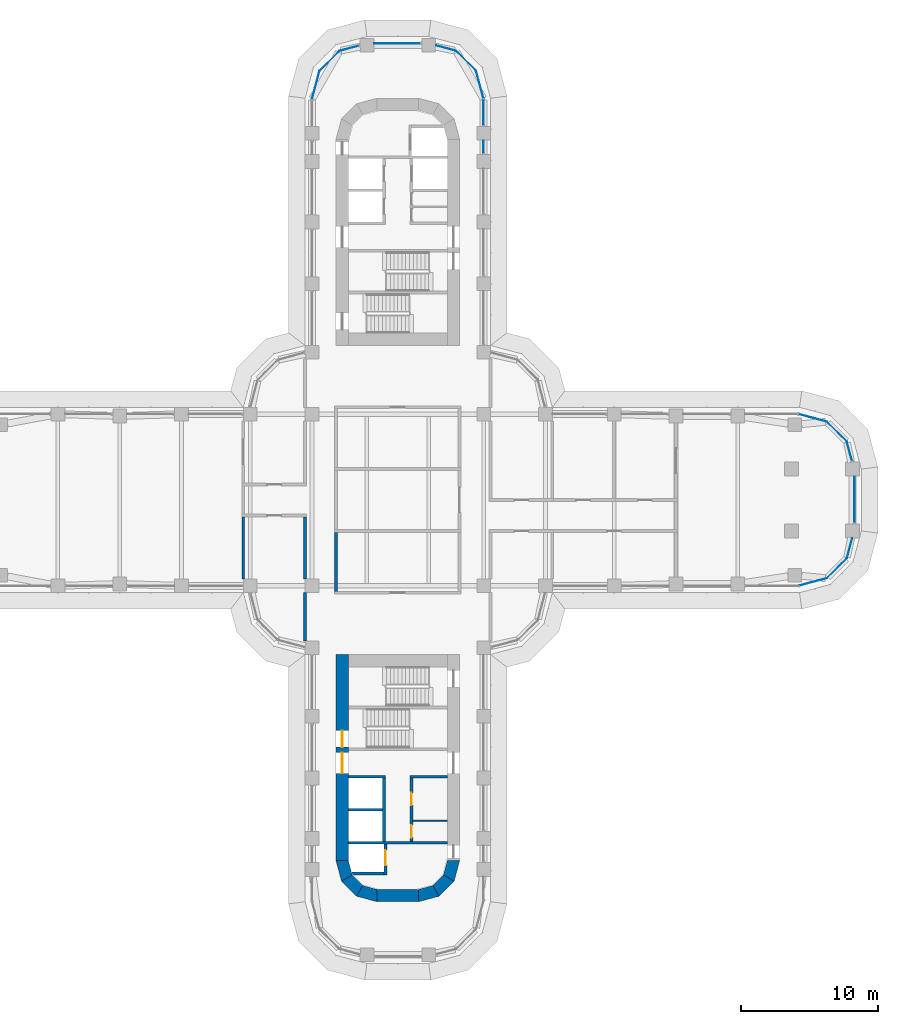
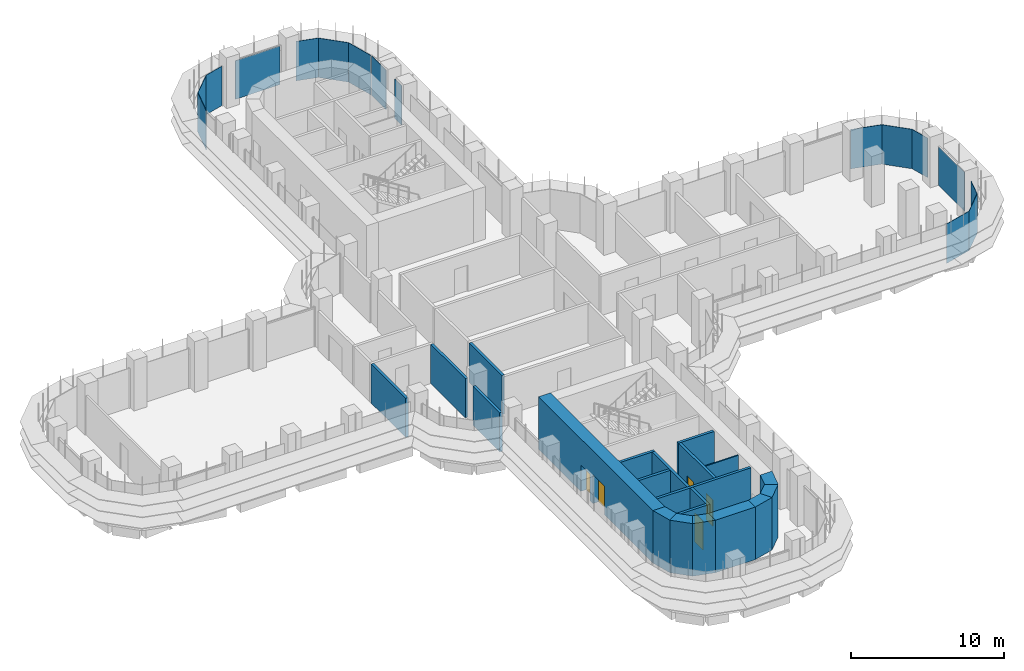
# One storey, part 16 of 23: 21 walls, 16 plates, 5 doors, 5 openings, 15 elements without a shape of their own.
"""IFC4 building model written with IfcOpenShell, lengths in metres."""

from ifc_helpers import new_model, si_unit, direction, frame, frame_2d, origin, place, context, subcontext, project, spatial, polyline, rectangle, outline, extrude, source, transform, mapped, material, layer, layer_set, type_object, element, fill, aggregate, save


model = new_model("IFC4")

# Units and contexts
model_context = context("Model", 3, precision=1e-05, world=origin(), true_north=direction((0.0, 1.0)))
body_context = subcontext(model_context, "Body", "Model", "MODEL_VIEW")
ifc_project = project(units=[si_unit("LENGTHUNIT", "METRE"), si_unit("AREAUNIT", "SQUARE_METRE"), si_unit("VOLUMEUNIT", "CUBIC_METRE"), si_unit("PLANEANGLEUNIT", "RADIAN"), si_unit("MASSUNIT", "GRAM", prefix="KILO")], contexts=[model_context])

# Site, building, storey
site_placement = place(None, origin())
site = spatial("IfcSite", under=ifc_project, at=site_placement, CompositionType="ELEMENT")
building_placement = place(site_placement, origin())
building = spatial("IfcBuilding", under=site, at=building_placement, Name="Zarbagh Exchange Tower", CompositionType="ELEMENT")
storey_placement = place(building_placement, frame((0.0, 0.0, 77.39990234375)))
storey = spatial("IfcBuildingStorey", under=building, at=storey_placement, Name="L17", CompositionType="ELEMENT", Elevation=77.39990234375)

# Curtain wall, plate
ifc_material_1 = material(Name="Anodised aluminium frame and glazing", Category="aluminium")
curtain_wall_type = type_object("IfcCurtainWallType", Name="CWA Ribbon glazing, lower zones", PredefinedType="NOTDEFINED", material=ifc_material_1)
curtain_wall_1_placement = place(storey_placement, origin())
curtain_wall_1 = element("IfcCurtainWall", 1, at=curtain_wall_1_placement, inside=storey, type_object=curtain_wall_type, Name="CWA13 curtain wall", PredefinedType="NOTDEFINED")
ifc_material_2 = material(Name="Low-e double glazed unit, 6+12+6 mm")
ifc_layer_1 = layer(ifc_material_2, 0.028076171875)
ifc_layer_set_1 = layer_set([ifc_layer_1], Name="PAA Glazing panel, Low-e double glazed unit, 6+12+6 mm")
plate_type = type_object("IfcPlateType", Name="PAA Glazing panel, Low-e double glazed unit, 6+12+6 mm", PredefinedType="CURTAIN_PANEL", material=ifc_layer_set_1)
shared_shape_1 = source(origin(), body_context, "Body", "SweptSolid", [
    extrude(outline(polyline([(0.0, -0.013916015625), (1.4423828125, -0.013916015625), (1.4423828125, 0.013916015625), (0.0, 0.013916015625), (0.0, -0.013916015625)])), origin(), (0.0, 0.0, 1.0), 3.14990234375),
])
placement = place(storey_placement, origin())
plate_1 = element("IfcPlate", 2, at=placement, type_object=plate_type, Name="CWA13 glazing panel 1.1", PredefinedType="CURTAIN_PANEL", context=body_context, shape_type="MappedRepresentation", body=[
    mapped(shared_shape_1, transform((33.072021484375, 2.847900390625, 0.0), x_axis=(-0.258824779902, 0.965924289636, 0.0), y_axis=(-0.965924289636, -0.258824779902, 0.0), z_axis=(0.0, 0.0, 1.0))),
])
aggregate(curtain_wall_1, [plate_1])

curtain_wall_2_placement = place(storey_placement, origin())
curtain_wall_2 = element("IfcCurtainWall", 3, at=curtain_wall_2_placement, inside=storey, type_object=curtain_wall_type, Name="CWA25 curtain wall", PredefinedType="NOTDEFINED")
plate_2 = element("IfcPlate", 4, at=placement, type_object=plate_type, Name="CWA25 glazing panel 1.1", PredefinedType="CURTAIN_PANEL", context=body_context, shape_type="MappedRepresentation", body=[
    mapped(shared_shape_1, transform((-2.847900390625, 33.072021484375, 0.0), x_axis=(-0.965924289636, -0.258824779902, 0.0), y_axis=(0.258824779902, -0.965924289636, 0.0), z_axis=(0.0, 0.0, 1.0))),
])
aggregate(curtain_wall_2, [plate_2])

curtain_wall_3_placement = place(storey_placement, origin())
curtain_wall_3 = element("IfcCurtainWall", 5, at=curtain_wall_3_placement, inside=storey, type_object=curtain_wall_type, Name="CWA10 curtain wall", PredefinedType="NOTDEFINED")
shared_shape_2 = source(origin(), body_context, "Body", "SweptSolid", [
    extrude(outline(polyline([(0.0, -0.013916015625), (2.061279296875, -0.013916015625), (2.061279296875, 0.013916015625), (0.0, 0.013916015625), (0.0, -0.013916015625)])), origin(), (0.0, 0.0, 1.0), 3.14990234375),
])
plate_3 = element("IfcPlate", 6, at=placement, type_object=plate_type, Name="CWA10 glazing panel 1.1", PredefinedType="CURTAIN_PANEL", context=body_context, shape_type="MappedRepresentation", body=[
    mapped(shared_shape_2, transform((31.2412109375, -5.69873046875, 0.0), x_axis=(0.707106781187, 0.707106781187, 0.0), y_axis=(-0.707106781187, 0.707106781187, 0.0), z_axis=(0.0, 0.0, 1.0))),
])
aggregate(curtain_wall_3, [plate_3])

curtain_wall_4_placement = place(storey_placement, origin())
curtain_wall_4 = element("IfcCurtainWall", 7, at=curtain_wall_4_placement, inside=storey, type_object=curtain_wall_type, Name="CWA14 curtain wall", PredefinedType="NOTDEFINED")
plate_4 = element("IfcPlate", 8, at=placement, type_object=plate_type, Name="CWA14 glazing panel 1.1", PredefinedType="CURTAIN_PANEL", context=body_context, shape_type="MappedRepresentation", body=[
    mapped(shared_shape_2, transform((32.69873046875, 4.2412109375, 0.0), x_axis=(-0.707106781187, 0.707106781187, 0.0), y_axis=(-0.707106781187, -0.707106781187, 0.0), z_axis=(0.0, 0.0, 1.0))),
])
aggregate(curtain_wall_4, [plate_4])

curtain_wall_5_placement = place(storey_placement, origin())
curtain_wall_5 = element("IfcCurtainWall", 9, at=curtain_wall_5_placement, inside=storey, type_object=curtain_wall_type, Name="CWA22 curtain wall", PredefinedType="NOTDEFINED")
plate_5 = element("IfcPlate", 10, at=placement, type_object=plate_type, Name="CWA22 glazing panel 1.1", PredefinedType="CURTAIN_PANEL", context=body_context, shape_type="MappedRepresentation", body=[
    mapped(shared_shape_2, transform((5.69873046875, 31.2412109375, 0.0), x_axis=(-0.707106781187, 0.707106781187, 0.0), y_axis=(-0.707106781187, -0.707106781187, 0.0), z_axis=(0.0, 0.0, 1.0))),
])
aggregate(curtain_wall_5, [plate_5])

curtain_wall_6_placement = place(storey_placement, origin())
curtain_wall_6 = element("IfcCurtainWall", 11, at=curtain_wall_6_placement, inside=storey, type_object=curtain_wall_type, Name="CWA26 curtain wall", PredefinedType="NOTDEFINED")
plate_6 = element("IfcPlate", 12, at=placement, type_object=plate_type, Name="CWA26 glazing panel 1.1", PredefinedType="CURTAIN_PANEL", context=body_context, shape_type="MappedRepresentation", body=[
    mapped(shared_shape_2, transform((-4.2412109375, 32.69873046875, 0.0), x_axis=(-0.707106781187, -0.707106781187, 0.0), y_axis=(0.707106781187, -0.707106781187, 0.0), z_axis=(0.0, 0.0, 1.0))),
])
aggregate(curtain_wall_6, [plate_6])

curtain_wall_7_placement = place(storey_placement, origin())
curtain_wall_7 = element("IfcCurtainWall", 13, at=curtain_wall_7_placement, inside=storey, type_object=curtain_wall_type, Name="CWA15 curtain wall", PredefinedType="NOTDEFINED")
shared_shape_3 = source(origin(), body_context, "Body", "SweptSolid", [
    extrude(outline(polyline([(0.0, -0.013916015625), (2.129638671875, -0.013916015625), (2.129638671875, 0.013916015625), (0.0, 0.013916015625), (0.0, -0.013916015625)])), origin(), (0.0, 0.0, 1.0), 3.14990234375),
])
plate_7 = element("IfcPlate", 14, at=placement, type_object=plate_type, Name="CWA15 glazing panel 1.1", PredefinedType="CURTAIN_PANEL", context=body_context, shape_type="MappedRepresentation", body=[
    mapped(shared_shape_3, transform((31.2412109375, 5.69873046875, 0.0), x_axis=(-0.965924289636, 0.258824779902, 0.0), y_axis=(-0.258824779902, -0.965924289636, 0.0), z_axis=(0.0, 0.0, 1.0))),
])
aggregate(curtain_wall_7, [plate_7])

curtain_wall_8_placement = place(storey_placement, origin())
curtain_wall_8 = element("IfcCurtainWall", 15, at=curtain_wall_8_placement, inside=storey, type_object=curtain_wall_type, Name="CWA27 curtain wall", PredefinedType="NOTDEFINED")
plate_8 = element("IfcPlate", 16, at=placement, type_object=plate_type, Name="CWA27 glazing panel 1.1", PredefinedType="CURTAIN_PANEL", context=body_context, shape_type="MappedRepresentation", body=[
    mapped(shared_shape_3, transform((-5.69873046875, 31.2412109375, 0.0), x_axis=(-0.258824779902, -0.965924289636, 0.0), y_axis=(0.965924289636, -0.258824779902, 0.0), z_axis=(0.0, 0.0, 1.0))),
])
aggregate(curtain_wall_8, [plate_8])

curtain_wall_9_placement = place(storey_placement, origin())
curtain_wall_9 = element("IfcCurtainWall", 17, at=curtain_wall_9_placement, inside=storey, type_object=curtain_wall_type, Name="CWA09 curtain wall", PredefinedType="NOTDEFINED")
shared_shape_4 = source(origin(), body_context, "Body", "SweptSolid", [
    extrude(outline(polyline([(0.0, -0.013916015625), (2.069580078125, -0.013916015625), (2.069580078125, 0.013916015625), (0.0, 0.013916015625), (0.0, -0.013916015625)])), origin(), (0.0, 0.0, 1.0), 3.14990234375),
])
plate_9 = element("IfcPlate", 18, at=placement, type_object=plate_type, Name="CWA09 glazing panel 1.1", PredefinedType="CURTAIN_PANEL", context=body_context, shape_type="MappedRepresentation", body=[
    mapped(shared_shape_4, transform((29.2421875, -6.234375, 0.0), x_axis=(0.965924289636, 0.258824779902, 0.0), y_axis=(-0.258824779902, 0.965924289636, 0.0), z_axis=(0.0, 0.0, 1.0))),
])
aggregate(curtain_wall_9, [plate_9])

curtain_wall_10_placement = place(storey_placement, origin())
curtain_wall_10 = element("IfcCurtainWall", 19, at=curtain_wall_10_placement, inside=storey, type_object=curtain_wall_type, Name="CWA21 curtain wall", PredefinedType="NOTDEFINED")
plate_10 = element("IfcPlate", 20, at=placement, type_object=plate_type, Name="CWA21 glazing panel 1.1", PredefinedType="CURTAIN_PANEL", context=body_context, shape_type="MappedRepresentation", body=[
    mapped(shared_shape_4, transform((6.234375, 29.2421875, 0.0), x_axis=(-0.258824779902, 0.965924289636, 0.0), y_axis=(-0.965924289636, -0.258824779902, 0.0), z_axis=(0.0, 0.0, 1.0))),
])
aggregate(curtain_wall_10, [plate_10])

curtain_wall_11_placement = place(storey_placement, origin())
curtain_wall_11 = element("IfcCurtainWall", 21, at=curtain_wall_11_placement, inside=storey, type_object=curtain_wall_type, Name="CWA11 curtain wall", PredefinedType="NOTDEFINED")
shared_shape_5 = source(origin(), body_context, "Body", "SweptSolid", [
    extrude(outline(polyline([(0.0, -0.013916015625), (1.50244140625, -0.013916015625), (1.50244140625, 0.013916015625), (0.0, 0.013916015625), (0.0, -0.013916015625)])), origin(), (0.0, 0.0, 1.0), 3.14990234375),
])
plate_11 = element("IfcPlate", 22, at=placement, type_object=plate_type, Name="CWA11 glazing panel 1.1", PredefinedType="CURTAIN_PANEL", context=body_context, shape_type="MappedRepresentation", body=[
    mapped(shared_shape_5, transform((32.69873046875, -4.2412109375, 0.0), x_axis=(0.258824779902, 0.965924289636, 0.0), y_axis=(-0.965924289636, 0.258824779902, 0.0), z_axis=(0.0, 0.0, 1.0))),
])
aggregate(curtain_wall_11, [plate_11])

curtain_wall_12_placement = place(storey_placement, origin())
curtain_wall_12 = element("IfcCurtainWall", 23, at=curtain_wall_12_placement, inside=storey, type_object=curtain_wall_type, Name="CWA23 curtain wall", PredefinedType="NOTDEFINED")
plate_12 = element("IfcPlate", 24, at=placement, type_object=plate_type, Name="CWA23 glazing panel 1.1", PredefinedType="CURTAIN_PANEL", context=body_context, shape_type="MappedRepresentation", body=[
    mapped(shared_shape_5, transform((4.2412109375, 32.69873046875, 0.0), x_axis=(-0.965924289636, 0.258824779902, 0.0), y_axis=(-0.258824779902, -0.965924289636, 0.0), z_axis=(0.0, 0.0, 1.0))),
])
aggregate(curtain_wall_12, [plate_12])

curtain_wall_13_placement = place(storey_placement, origin())
curtain_wall_13 = element("IfcCurtainWall", 25, at=curtain_wall_13_placement, inside=storey, type_object=curtain_wall_type, Name="CWA12 curtain wall", PredefinedType="NOTDEFINED")
shared_shape_6 = source(origin(), body_context, "Body", "SweptSolid", [
    extrude(outline(polyline([(0.0, -0.013916015625), (3.360107421875, -0.013916015625), (3.360107421875, 0.013916015625), (0.0, 0.013916015625), (0.0, -0.013916015625)])), origin(), (0.0, 0.0, 1.0), 3.090087890625),
])
plate_13 = element("IfcPlate", 26, at=placement, type_object=plate_type, Name="CWA12 glazing panel 1.1", PredefinedType="CURTAIN_PANEL", context=body_context, shape_type="MappedRepresentation", body=[
    mapped(shared_shape_6, transform((33.25, -1.64990234375, 0.0), x_axis=(0.0, 1.0, 0.0), y_axis=(-1.0, 0.0, 0.0), z_axis=(0.0, 0.0, 1.0))),
])
aggregate(curtain_wall_13, [plate_13])

curtain_wall_14_placement = place(storey_placement, origin())
curtain_wall_14 = element("IfcCurtainWall", 27, at=curtain_wall_14_placement, inside=storey, type_object=curtain_wall_type, Name="CWA24 curtain wall", PredefinedType="NOTDEFINED")
plate_14 = element("IfcPlate", 28, at=placement, type_object=plate_type, Name="CWA24 glazing panel 1.1", PredefinedType="CURTAIN_PANEL", context=body_context, shape_type="MappedRepresentation", body=[
    mapped(shared_shape_6, transform((1.64990234375, 33.25, 0.0), x_axis=(-1.0, 0.0, 0.0), y_axis=(0.0, -1.0, 0.0), z_axis=(0.0, 0.0, 1.0))),
])
aggregate(curtain_wall_14, [plate_14])

# Curtain wall, plates
curtain_wall_15_placement = place(storey_placement, origin())
curtain_wall_15 = element("IfcCurtainWall", 29, at=curtain_wall_15_placement, inside=storey, type_object=curtain_wall_type, Name="CWA20 curtain wall", PredefinedType="NOTDEFINED")
shared_shape_7 = source(origin(), body_context, "Body", "SweptSolid", [
    extrude(outline(polyline([(0.0, -0.013916015625), (0.909912109375, -0.013916015625), (0.909912109375, 0.013916015625), (0.0, 0.013916015625), (0.0, -0.013916015625)])), origin(), (0.0, 0.0, 1.0), 3.14990234375),
])
plate_15 = element("IfcPlate", 30, at=placement, type_object=plate_type, Name="CWA20 glazing panel 4.1", PredefinedType="CURTAIN_PANEL", context=body_context, shape_type="MappedRepresentation", body=[
    mapped(shared_shape_7, transform((6.25, 25.25, 0.0), x_axis=(0.0, 1.0, 0.0), y_axis=(-1.0, 0.0, 0.0), z_axis=(0.0, 0.0, 1.0))),
])
shared_shape_8 = source(origin(), body_context, "Body", "SweptSolid", [
    extrude(outline(polyline([(0.0, -0.013916015625), (1.884033203125, -0.013916015625), (1.884033203125, 0.013916015625), (0.0, 0.013916015625), (0.0, -0.013916015625)])), origin(), (0.0, 0.0, 1.0), 3.14990234375),
])
plate_16 = element("IfcPlate", 31, at=placement, type_object=plate_type, Name="CWA20 glazing panel 5.1", PredefinedType="CURTAIN_PANEL", context=body_context, shape_type="MappedRepresentation", body=[
    mapped(shared_shape_8, transform((6.25, 27.300048828125, 0.0), x_axis=(0.0, 1.0, 0.0), y_axis=(-1.0, 0.0, 0.0), z_axis=(0.0, 0.0, 1.0))),
])
aggregate(curtain_wall_15, [plate_15, plate_16])

# Walls
ifc_material_3 = material(Name="Dense blockwork", Category="masonry")
ifc_layer_2 = layer(ifc_material_3, 0.10009765625)
ifc_layer_set_2 = layer_set([ifc_layer_2], Name="Core partition 100 mm blockwork")
wall_type_1 = type_object("IfcWallType", Name="Core partition 100 mm blockwork", PredefinedType="PARTITIONING", material=ifc_layer_set_2)
wall_1_placement = place(storey_placement, frame((3.60009765625, -23.35009765625, 0.0), z_axis=(0.0, 0.0, 1.0), x_axis=(-1.0, 0.0, 0.0)))
element("IfcWall", 32, at=wall_1_placement, inside=storey, type_object=wall_type_1, Name="South core partition wall CUT-W-500", PredefinedType="PARTITIONING", context=body_context, shape_type="SweptSolid", body=[
    extrude(rectangle(XDim=2.5, YDim=0.10009765625, at=frame_2d((1.25, 0.0))), origin(), (0.0, 0.0, 1.0), 4.050048828125),
])
ifc_material_4 = material(Name="Fire-rated plasterboard partition")
ifc_layer_3 = layer(ifc_material_4, 0.199951171875)
ifc_layer_set_3 = layer_set([ifc_layer_3], Name="RATED PARTITION 200")
wall_type_2 = type_object("IfcWallType", Name="RATED PARTITION 200", PredefinedType="PARTITIONING", material=ifc_layer_set_3)
wall_2_placement = place(storey_placement, frame((-4.5, -6.64990234375, 0.0), z_axis=(0.0, 0.0, 1.0), x_axis=(0.0, 1.0, 0.0)))
element("IfcWall", 33, at=wall_2_placement, inside=storey, type_object=wall_type_2, Name="Partition W-503", PredefinedType="PARTITIONING", context=body_context, shape_type="SweptSolid", body=[
    extrude(rectangle(XDim=4.2998046875, YDim=0.199951171875, at=frame_2d((2.14990234375, 0.0))), origin(), (0.0, 0.0, 1.0), 3.130615234375),
])
wall_3_placement = place(storey_placement, frame((-6.75, -10.25, 0.0), z_axis=(0.0, 0.0, 1.0), x_axis=(0.0, 1.0, 0.0)))
element("IfcWall", 34, at=wall_3_placement, inside=storey, type_object=wall_type_2, Name="Partition W-506", PredefinedType="PARTITIONING", context=body_context, shape_type="SweptSolid", body=[
    extrude(rectangle(XDim=3.5, YDim=0.199951171875, at=frame_2d((1.75, 0.0))), origin(), (0.0, 0.0, 1.0), 3.130615234375),
])
for number, where, z_axis, x_axis, name in (
    (35, (-6.75, -5.75, 0.0), (0.0, 0.0, 1.0), (0.0, 1.0, 0.0), "Partition W-507"),
    (36, (-11.25, -5.75, 0.0), (0.0, 0.0, 1.0), (0.0, 1.0, 0.0), "Partition W-534"),
):
    element("IfcWall", number, at=place(storey_placement, frame(where, z_axis=z_axis, x_axis=x_axis)), inside=storey, type_object=wall_type_2, Name=name, PredefinedType="PARTITIONING", context=body_context, shape_type="SweptSolid", body=[
        extrude(rectangle(XDim=4.52490234375, YDim=0.199951171875, at=frame_2d((2.262451171875, 0.0))), origin(), (0.0, 0.0, 1.0), 3.130615234375),
    ])
ifc_material_5 = material(Name="Concrete C60/75", Category="concrete")
ifc_layer_4 = layer(ifc_material_5, 0.89990234375)
ifc_layer_set_4 = layer_set([ifc_layer_4], Name="RC core corner wall 900 C60/75")
wall_type_3 = type_object("IfcWallType", Name="RC core corner wall 900 C60/75", PredefinedType="SHEAR", material=ifc_layer_set_4)
wall_4_placement = place(storey_placement, origin())
element("IfcWall", 37, at=wall_4_placement, inside=storey, type_object=wall_type_3, Name="CW2 core S corner W", PredefinedType="SHEAR", context=body_context, shape_type="SweptSolid", body=[
    extrude(outline(polyline([(-4.5, -26.25), (-4.09814453125, -27.75), (-3.318603515625, -27.300048828125), (-3.60009765625, -26.25), (-4.5, -26.25)])), origin(), (0.0, 0.0, 1.0), 4.2001953125),
])
wall_5_placement = place(storey_placement, origin())
element("IfcWall", 38, at=wall_5_placement, inside=storey, type_object=wall_type_3, Name="CW2 core S corner W", PredefinedType="SHEAR", context=body_context, shape_type="SweptSolid", body=[
    extrude(outline(polyline([(-4.09814453125, -27.75), (-3.0, -28.84814453125), (-2.550048828125, -28.068603515625), (-3.318603515625, -27.300048828125), (-4.09814453125, -27.75)])), origin(), (0.0, 0.0, 1.0), 4.2001953125),
])
wall_6_placement = place(storey_placement, origin())
element("IfcWall", 39, at=wall_6_placement, inside=storey, type_object=wall_type_3, Name="CW2 core S corner W", PredefinedType="SHEAR", context=body_context, shape_type="SweptSolid", body=[
    extrude(outline(polyline([(-3.0, -28.84814453125), (-1.5, -29.25), (-1.5, -28.35009765625), (-2.550048828125, -28.068603515625), (-3.0, -28.84814453125)])), origin(), (0.0, 0.0, 1.0), 4.2001953125),
])
wall_7_placement = place(storey_placement, origin())
element("IfcWall", 40, at=wall_7_placement, inside=storey, type_object=wall_type_3, Name="CW2 core S corner E", PredefinedType="SHEAR", context=body_context, shape_type="SweptSolid", body=[
    extrude(outline(polyline([(4.5, -26.25), (4.09814453125, -27.75), (3.318603515625, -27.300048828125), (3.60009765625, -26.25), (4.5, -26.25)])), origin(), (0.0, 0.0, 1.0), 4.2001953125),
])
wall_8_placement = place(storey_placement, origin())
element("IfcWall", 41, at=wall_8_placement, inside=storey, type_object=wall_type_3, Name="CW2 core S corner E", PredefinedType="SHEAR", context=body_context, shape_type="SweptSolid", body=[
    extrude(outline(polyline([(4.09814453125, -27.75), (3.0, -28.84814453125), (2.550048828125, -28.068603515625), (3.318603515625, -27.300048828125), (4.09814453125, -27.75)])), origin(), (0.0, 0.0, 1.0), 4.2001953125),
])
wall_9_placement = place(storey_placement, origin())
element("IfcWall", 42, at=wall_9_placement, inside=storey, type_object=wall_type_3, Name="CW2 core S corner E", PredefinedType="SHEAR", context=body_context, shape_type="SweptSolid", body=[
    extrude(outline(polyline([(3.0, -28.84814453125), (1.5, -29.25), (1.5, -28.35009765625), (2.550048828125, -28.068603515625), (3.0, -28.84814453125)])), origin(), (0.0, 0.0, 1.0), 4.2001953125),
])

# Wall, openings, doors
ifc_layer_5 = layer(ifc_material_5, 0.89990234375)
ifc_layer_set_5 = layer_set([ifc_layer_5], Name="RC core wall 900 C60/75")
wall_type_4 = type_object("IfcWallType", Name="RC core wall 900 C60/75", PredefinedType="SHEAR", material=ifc_layer_set_5)
wall_10_placement = place(storey_placement, frame((-4.050048828125, -11.25, 0.0), z_axis=(0.0, 0.0, 1.0), x_axis=(0.0, -1.0, 0.0)))
wall_10 = element("IfcWall", 43, at=wall_10_placement, inside=storey, type_object=wall_type_4, Name="CW1 core S W", PredefinedType="SHEAR", context=body_context, shape_type="SweptSolid", body=[
    extrude(rectangle(XDim=15.0, YDim=0.89990234375, at=frame_2d((7.5, 0.0))), origin(), (0.0, 0.0, 1.0), 4.2001953125),
])
opening_1_placement = place(wall_10_placement, frame((7.14990234375, 0.0, 0.0)))
opening_1 = element("IfcOpeningElement", 44, at=opening_1_placement, cuts=wall_10, Name="Opening CD1-1500", PredefinedType="OPENING", context=body_context, shape_type="SweptSolid", body=[
    extrude(rectangle(XDim=1.5, YDim=2.300048828125, at=frame_2d((0.75, 1.14990234375))), frame((0.0, 0.4599609375, 0.0), z_axis=(0.0, -1.0, 0.0), x_axis=(1.0, 0.0, 0.0)), (0.0, 0.0, 1.0), 0.919921875),
])
opening_2_placement = place(wall_10_placement, frame((5.550048828125, 0.0, 0.0)))
opening_2 = element("IfcOpeningElement", 45, at=opening_2_placement, cuts=wall_10, Name="Opening SD1-1200", PredefinedType="OPENING", context=body_context, shape_type="SweptSolid", body=[
    extrude(rectangle(XDim=1.199951171875, YDim=2.10009765625, at=frame_2d((0.60009765625, 1.050048828125))), frame((0.0, 0.4599609375, 0.0), z_axis=(0.0, -1.0, 0.0), x_axis=(1.0, 0.0, 0.0)), (0.0, 0.0, 1.0), 0.919921875),
])
ifc_material_6 = material(Name="Steel", Category="steel")
door_type_1 = type_object("IfcDoorType", Name="Exit stair door 1200 x 2100", OperationType="NOTDEFINED", PredefinedType="DOOR", material=ifc_material_6)
door_1_placement = place(opening_2_placement, origin())
door_1 = element("IfcDoor", 46, at=door_1_placement, inside=storey, type_object=door_type_1, Name="South core stair door ST1", OperationType="SINGLE_SWING_LEFT", OverallHeight=2.10009765625, OverallWidth=1.199951171875, PredefinedType="DOOR", context=body_context, shape_type="SweptSolid", body=[
    extrude(rectangle(XDim=1.199951171875, YDim=2.10009765625, at=frame_2d((0.60009765625, 1.050048828125))), frame((0.0, 0.02490234375, 0.0), z_axis=(0.0, -1.0, 0.0), x_axis=(1.0, 0.0, 0.0)), (0.0, 0.0, 1.0), 0.050048828125),
])
fill(opening_2, door_1)
door_type_2 = type_object("IfcDoorType", Name="Lift lobby double door 1500 x 2300", OperationType="NOTDEFINED", PredefinedType="DOOR", material=ifc_material_6)
door_2_placement = place(opening_1_placement, origin())
door_2 = element("IfcDoor", 47, at=door_2_placement, inside=storey, type_object=door_type_2, Name="South core lift lobby door LOBBY-E", OperationType="DOUBLE_DOOR_SINGLE_SWING", OverallHeight=2.300048828125, OverallWidth=1.5, PredefinedType="DOOR", context=body_context, shape_type="SweptSolid", body=[
    extrude(rectangle(XDim=1.5, YDim=2.300048828125, at=frame_2d((0.75, 1.14990234375))), frame((0.0, 0.02490234375, 0.0), z_axis=(0.0, -1.0, 0.0), x_axis=(1.0, 0.0, 0.0)), (0.0, 0.0, 1.0), 0.050048828125),
])
fill(opening_1, door_2)

# Walls
wall_11_placement = place(storey_placement, frame((-1.5, -28.800048828125, 0.0), z_axis=(0.0, 0.0, 1.0), x_axis=(1.0, 0.0, 0.0)))
element("IfcWall", 48, at=wall_11_placement, inside=storey, type_object=wall_type_4, Name="CW1 core S outer end", PredefinedType="SHEAR", context=body_context, shape_type="SweptSolid", body=[
    extrude(rectangle(XDim=3.0, YDim=0.89990234375, at=frame_2d((1.5, 0.0))), origin(), (0.0, 0.0, 1.0), 4.2001953125),
])
ifc_layer_6 = layer(ifc_material_3, 0.199951171875)
ifc_layer_set_6 = layer_set([ifc_layer_6], Name="Shaft wall 200 mm blockwork")
wall_type_5 = type_object("IfcWallType", Name="Shaft wall 200 mm blockwork", PredefinedType="PARTITIONING", material=ifc_layer_set_6)
wall_12_placement = place(storey_placement, frame((3.60009765625, -20.14990234375, 0.0), z_axis=(0.0, 0.0, 1.0), x_axis=(-1.0, 0.0, 0.0)))
element("IfcWall", 49, at=wall_12_placement, inside=storey, type_object=wall_type_5, Name="South core shaft wall AB-W", PredefinedType="PARTITIONING", context=body_context, shape_type="SweptSolid", body=[
    extrude(rectangle(XDim=2.7001953125, YDim=0.199951171875, at=frame_2d((1.35009765625, 0.0))), origin(), (0.0, 0.0, 1.0), 4.050048828125),
])

# Wall, openings, doors
wall_13_placement = place(storey_placement, frame((1.0, -24.85009765625, 0.0), z_axis=(0.0, 0.0, 1.0), x_axis=(0.0, 1.0, 0.0)))
wall_13 = element("IfcWall", 50, at=wall_13_placement, inside=storey, type_object=wall_type_5, Name="South core shaft wall LW-W", PredefinedType="PARTITIONING", context=body_context, shape_type="SweptSolid", body=[
    extrude(rectangle(XDim=4.60009765625, YDim=0.199951171875, at=frame_2d((2.300048828125, 0.0))), origin(), (0.0, 0.0, 1.0), 4.050048828125),
])
opening_3_placement = place(wall_13_placement, frame((0.27490234375, 0.0, 0.0)))
opening_3 = element("IfcOpeningElement", 51, at=opening_3_placement, cuts=wall_13, Name="Opening CD3-900", PredefinedType="OPENING", context=body_context, shape_type="SweptSolid", body=[
    extrude(rectangle(XDim=0.89990234375, YDim=2.10009765625, at=frame_2d((0.449951171875, 1.050048828125))), frame((0.0, 0.10986328125, 0.0), z_axis=(0.0, -1.0, 0.0), x_axis=(1.0, 0.0, 0.0)), (0.0, 0.0, 1.0), 0.219970703125),
])
opening_4_placement = place(wall_13_placement, frame((2.625, 0.0, 0.0)))
opening_4 = element("IfcOpeningElement", 52, at=opening_4_placement, cuts=wall_13, Name="Opening CD3-900", PredefinedType="OPENING", context=body_context, shape_type="SweptSolid", body=[
    extrude(rectangle(XDim=0.89990234375, YDim=2.10009765625, at=frame_2d((0.449951171875, 1.050048828125))), frame((0.0, 0.10986328125, 0.0), z_axis=(0.0, -1.0, 0.0), x_axis=(1.0, 0.0, 0.0)), (0.0, 0.0, 1.0), 0.219970703125),
])
door_type_3 = type_object("IfcDoorType", Name="Core room door 900 x 2100", OperationType="NOTDEFINED", PredefinedType="DOOR", material=ifc_material_6)
door_3_placement = place(opening_3_placement, origin())
door_3 = element("IfcDoor", 53, at=door_3_placement, inside=storey, type_object=door_type_3, Name="South core Cleaner's store door RD-W-0", OperationType="SINGLE_SWING_LEFT", OverallHeight=2.10009765625, OverallWidth=0.89990234375, PredefinedType="DOOR", context=body_context, shape_type="SweptSolid", body=[
    extrude(rectangle(XDim=0.89990234375, YDim=2.10009765625, at=frame_2d((0.449951171875, 1.050048828125))), frame((0.0, 0.02490234375, 0.0), z_axis=(0.0, -1.0, 0.0), x_axis=(1.0, 0.0, 0.0)), (0.0, 0.0, 1.0), 0.050048828125),
])
fill(opening_3, door_3)
door_4_placement = place(opening_4_placement, origin())
door_4 = element("IfcDoor", 54, at=door_4_placement, inside=storey, type_object=door_type_3, Name="South core Accessible WC door RD-W-1", OperationType="SINGLE_SWING_RIGHT", OverallHeight=2.10009765625, OverallWidth=0.89990234375, PredefinedType="DOOR", context=body_context, shape_type="SweptSolid", body=[
    extrude(rectangle(XDim=0.89990234375, YDim=2.10009765625, at=frame_2d((0.449951171875, 1.050048828125))), frame((0.0, 0.02490234375, 0.0), z_axis=(0.0, -1.0, 0.0), x_axis=(1.0, 0.0, 0.0)), (0.0, 0.0, 1.0), 0.050048828125),
])
fill(opening_4, door_4)

# Walls
wall_14_placement = place(storey_placement, frame((-0.89990234375, -20.14990234375, 0.0), z_axis=(0.0, 0.0, 1.0), x_axis=(-1.0, 0.0, 0.0)))
element("IfcWall", 55, at=wall_14_placement, inside=storey, type_object=wall_type_5, Name="South core shaft wall AB-E", PredefinedType="PARTITIONING", context=body_context, shape_type="SweptSolid", body=[
    extrude(rectangle(XDim=2.7001953125, YDim=0.199951171875, at=frame_2d((1.35009765625, 0.0))), origin(), (0.0, 0.0, 1.0), 4.050048828125),
])
wall_15_placement = place(storey_placement, frame((-1.0, -24.85009765625, 0.0), z_axis=(0.0, 0.0, 1.0), x_axis=(0.0, 1.0, 0.0)))
element("IfcWall", 56, at=wall_15_placement, inside=storey, type_object=wall_type_5, Name="South core shaft wall LW-E", PredefinedType="PARTITIONING", context=body_context, shape_type="SweptSolid", body=[
    extrude(rectangle(XDim=4.60009765625, YDim=0.199951171875, at=frame_2d((2.300048828125, 0.0))), origin(), (0.0, 0.0, 1.0), 4.050048828125),
])
wall_16_placement = place(storey_placement, frame((-1.10009765625, -22.550048828125, 0.0), z_axis=(0.0, 0.0, 1.0), x_axis=(-1.0, 0.0, 0.0)))
element("IfcWall", 57, at=wall_16_placement, inside=storey, type_object=wall_type_5, Name="South core shaft wall TR-E", PredefinedType="PARTITIONING", context=body_context, shape_type="SweptSolid", body=[
    extrude(rectangle(XDim=2.5, YDim=0.199951171875, at=frame_2d((1.25, 0.0))), origin(), (0.0, 0.0, 1.0), 4.050048828125),
])
ifc_material_7 = material(Name="Concrete C40/50", Category="concrete")
ifc_layer_7 = layer(ifc_material_7, 0.199951171875)
ifc_layer_set_7 = layer_set([ifc_layer_7], Name="Stair enclosure wall 200 mm RC C40/50")
wall_type_6 = type_object("IfcWallType", Name="Stair enclosure wall 200 mm RC C40/50", PredefinedType="SHEAR", material=ifc_layer_set_7)
wall_17_placement = place(storey_placement, frame((3.60009765625, -24.949951171875, 0.0), z_axis=(0.0, 0.0, 1.0), x_axis=(-1.0, 0.0, 0.0)))
element("IfcWall", 58, at=wall_17_placement, inside=storey, type_object=wall_type_6, Name="South core lift shaft wall FFA", PredefinedType="SHEAR", context=body_context, shape_type="SweptSolid", body=[
    extrude(rectangle(XDim=7.2001953125, YDim=0.199951171875, at=frame_2d((3.60009765625, 0.0))), origin(), (0.0, 0.0, 1.0), 4.050048828125),
])

# Wall, opening, door
wall_18_placement = place(storey_placement, frame((-0.89990234375, -27.300048828125, 0.0), z_axis=(0.0, 0.0, 1.0), x_axis=(0.0, 1.0, 0.0)))
wall_18 = element("IfcWall", 59, at=wall_18_placement, inside=storey, type_object=wall_type_6, Name="South core lift shaft wall FFL", PredefinedType="SHEAR", context=body_context, shape_type="SweptSolid", body=[
    extrude(rectangle(XDim=2.25, YDim=0.199951171875, at=frame_2d((1.125, 0.0))), origin(), (0.0, 0.0, 1.0), 4.050048828125),
])
opening_5_placement = place(wall_18_placement, frame((0.699951171875, 0.0, 0.0)))
opening_5 = element("IfcOpeningElement", 60, at=opening_5_placement, cuts=wall_18, Name="Opening LD-1100", PredefinedType="OPENING", context=body_context, shape_type="SweptSolid", body=[
    extrude(rectangle(XDim=1.10009765625, YDim=2.300048828125, at=frame_2d((0.550048828125, 1.14990234375))), frame((0.0, 0.10986328125, 0.0), z_axis=(0.0, -1.0, 0.0), x_axis=(1.0, 0.0, 0.0)), (0.0, 0.0, 1.0), 0.219970703125),
])
ifc_material_8 = material(Name="Stainless steel", Category="steel")
door_type_4 = type_object("IfcDoorType", Name="Lift landing door 1100 x 2300", OperationType="NOTDEFINED", PredefinedType="DOOR", material=ifc_material_8)
door_5_placement = place(opening_5_placement, origin())
door_5 = element("IfcDoor", 61, at=door_5_placement, inside=storey, type_object=door_type_4, Name="South core lift landing door LD-F", OperationType="DOUBLE_DOOR_SLIDING", OverallHeight=2.300048828125, OverallWidth=1.10009765625, PredefinedType="DOOR", context=body_context, shape_type="SweptSolid", body=[
    extrude(rectangle(XDim=1.10009765625, YDim=2.300048828125, at=frame_2d((0.550048828125, 1.14990234375))), frame((0.0, 0.02490234375, 0.0), z_axis=(0.0, -1.0, 0.0), x_axis=(1.0, 0.0, 0.0)), (0.0, 0.0, 1.0), 0.050048828125),
])
fill(opening_5, door_5)

# Wall
wall_19_placement = place(storey_placement, origin())
element("IfcWall", 62, at=wall_19_placement, inside=storey, type_object=wall_type_6, Name="South core lift shaft wall FFX", PredefinedType="SHEAR", context=body_context, shape_type="SweptSolid", body=[
    extrude(outline(polyline([(-1.0, -27.10009765625), (-3.340576171875, -27.10009765625), (-3.291259765625, -27.2841796875), (-3.275390625, -27.300048828125), (-1.0, -27.300048828125), (-1.0, -27.10009765625)])), origin(), (0.0, 0.0, 1.0), 4.050048828125),
])

save(model, "model.ifc")
